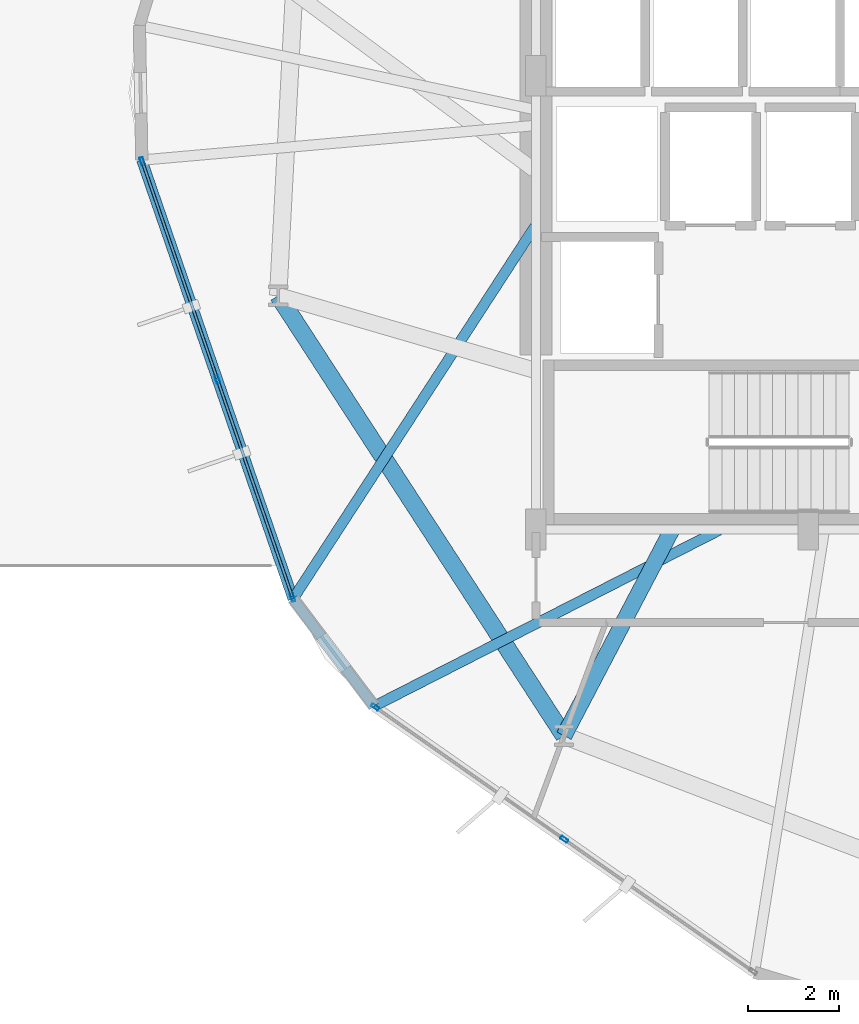
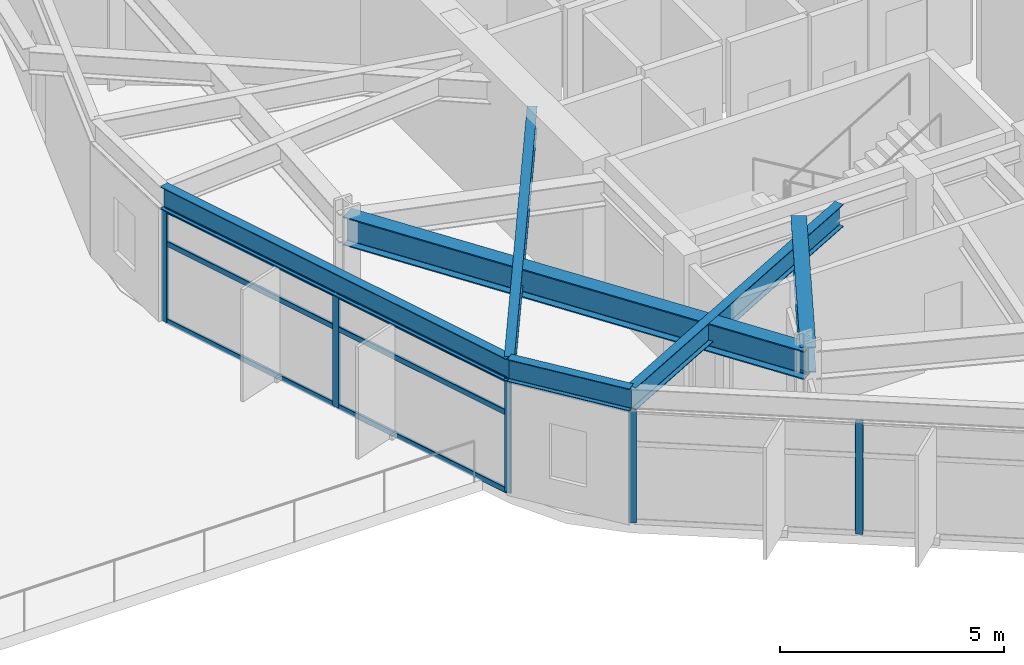
# One storey, part 2 of 23: 11 members, 6 beams, 2 elements without a shape of their own.
"""IFC4 building model written with IfcOpenShell, lengths in metres."""

from ifc_helpers import new_model, si_unit, direction, frame, origin, origin_2d, place, context, subcontext, project, spatial, hollow_rectangle, i_section, extrude, material, layer, layer_set, material_profile, profile_set, type_object, element, aggregate, save


model = new_model("IFC4")

# Units and contexts
model_context = context("Model", 3, precision=1e-05, world=origin(), true_north=direction((0.0, 1.0)))
body_context = subcontext(model_context, "Body", "Model", "MODEL_VIEW")
ifc_project = project(units=[si_unit("LENGTHUNIT", "METRE"), si_unit("AREAUNIT", "SQUARE_METRE"), si_unit("VOLUMEUNIT", "CUBIC_METRE"), si_unit("PLANEANGLEUNIT", "RADIAN"), si_unit("MASSUNIT", "GRAM", prefix="KILO")], contexts=[model_context])

# Site, building, storey
site_placement = place(None, origin())
site = spatial("IfcSite", under=ifc_project, at=site_placement, CompositionType="ELEMENT")
building_placement = place(site_placement, origin())
building = spatial("IfcBuilding", under=site, at=building_placement, Name="Soratama Intermodal Tower", CompositionType="ELEMENT")
storey_placement = place(building_placement, frame((0.0, 0.0, 30.60009765625)))
storey = spatial("IfcBuildingStorey", under=building, at=storey_placement, Name="L06", CompositionType="ELEMENT", Elevation=30.60009765625)

# Beams
ifc_material_1 = material(Name="Structural steel ASTM A992 Grade 50", Category="steel")
ifc_material_profile_1 = material_profile(ifc_material_1, i_section(OverallWidth=0.35498046875, OverallDepth=0.695068359375, WebThickness=0.015380859375, FlangeThickness=0.02490234375, FilletRadius=0.01611328125, at=origin_2d()), Name="W27X146")
ifc_profile_set_1 = profile_set([ifc_material_profile_1], Name="Structural steel ASTM A992 Grade 50")
beam_type_1 = type_object("IfcBeamType", Name="BM-RING-W27X146", PredefinedType="BEAM", material=ifc_profile_set_1)
beam_1_placement = place(storey_placement, frame((35.60009765625, 15.0, 3.352294921875), z_axis=(-0.463818619792, -0.885930182314, 0.0), x_axis=(0.885930182314, -0.463818619792, 0.0)))
element("IfcBeam", 1, at=beam_1_placement, inside=storey, type_object=beam_type_1, Name="BM-L06-RAD-07", PredefinedType="BEAM", context=body_context, shape_type="SweptSolid", body=[
    extrude(i_section(OverallWidth=0.35498046875, OverallDepth=0.695068359375, WebThickness=0.015380859375, FlangeThickness=0.02490234375, FilletRadius=0.01611328125, at=origin_2d()), origin(), (0.0, 0.0, 1.0), 5.1337890625),
])
ifc_material_2 = material(Name="Structural steel ASTM A992 Grade 50", Category="steel")
ifc_material_profile_2 = material_profile(ifc_material_2, i_section(OverallWidth=0.382080078125, OverallDepth=0.779052734375, WebThickness=0.01806640625, FlangeThickness=0.030029296875, FilletRadius=0.01806640625, at=origin_2d()), Name="W30X191")
ifc_profile_set_2 = profile_set([ifc_material_profile_2], Name="Structural steel ASTM A992 Grade 50")
beam_type_2 = type_object("IfcBeamType", Name="BM-RING-W30X191", PredefinedType="BEAM", material=ifc_profile_set_2)
beam_2_placement = place(storey_placement, frame((26.91796875, 20.155029296875, 3.310302734375), z_axis=(0.544623370352, -0.838680740489, 0.0), x_axis=(0.838680740489, 0.544623370352, 0.0)))
element("IfcBeam", 2, at=beam_2_placement, inside=storey, type_object=beam_type_2, Name="BM-L06-RING-06", PredefinedType="BEAM", context=body_context, shape_type="SweptSolid", body=[
    extrude(i_section(OverallWidth=0.382080078125, OverallDepth=0.779052734375, WebThickness=0.01806640625, FlangeThickness=0.030029296875, FilletRadius=0.01806640625, at=origin_2d()), origin(), (0.0, 0.0, 1.0), 11.569580078125),
])
ifc_material_3 = material(Name="Structural steel ASTM A992 Grade 50", Category="steel")
ifc_material_profile_3 = material_profile(ifc_material_3, i_section(OverallWidth=0.22900390625, OverallDepth=0.612060546875, WebThickness=0.011962890625, FlangeThickness=0.01953125, FilletRadius=0.012939453125, at=origin_2d()), Name="W24X84")
ifc_profile_set_3 = profile_set([ifc_material_profile_3], Name="Structural steel ASTM A992 Grade 50")
beam_type_3 = type_object("IfcBeamType", Name="BM-SPN-W24X84", PredefinedType="SPANDREL", material=ifc_profile_set_3)
beam_3_placement = place(storey_placement, frame((23.912109375, 23.14111328125, 3.393798828125), z_axis=(0.325883307042, -0.945410001106, 0.0), x_axis=(0.945410001106, 0.325883307042, 0.0)))
element("IfcBeam", 3, at=beam_3_placement, inside=storey, type_object=beam_type_3, Name="BS-L06-F06", PredefinedType="SPANDREL", context=body_context, shape_type="SweptSolid", body=[
    extrude(i_section(OverallWidth=0.22900390625, OverallDepth=0.612060546875, WebThickness=0.011962890625, FlangeThickness=0.01953125, FilletRadius=0.012939453125, at=origin_2d()), origin(), (0.0, 0.0, 1.0), 10.230712890625),
])
beam_4_placement = place(storey_placement, frame((27.24609375, 13.468994140625, 3.393798828125), z_axis=(0.602144651995, -0.798387010211, 0.0), x_axis=(0.798387010211, 0.602144651995, 0.0)))
element("IfcBeam", 4, at=beam_4_placement, inside=storey, type_object=beam_type_3, Name="BS-L06-CRN06", PredefinedType="SPANDREL", context=body_context, shape_type="SweptSolid", body=[
    extrude(i_section(OverallWidth=0.22900390625, OverallDepth=0.612060546875, WebThickness=0.011962890625, FlangeThickness=0.01953125, FilletRadius=0.012939453125, at=origin_2d()), origin(), (0.0, 0.0, 1.0), 2.9658203125),
])
ifc_material_4 = material(Name="Structural steel ASTM A992 Grade 50", Category="steel")
ifc_material_profile_4 = material_profile(ifc_material_4, i_section(OverallWidth=0.22900390625, OverallDepth=0.612060546875, WebThickness=0.011962890625, FlangeThickness=0.01953125, FilletRadius=0.012939453125, at=origin_2d()), Name="W24X84")
ifc_profile_set_4 = profile_set([ifc_material_profile_4], Name="Structural steel ASTM A992 Grade 50")
beam_type_4 = type_object("IfcBeamType", Name="BM-TIE-W24X84", PredefinedType="BEAM", material=ifc_profile_set_4)
beam_5_placement = place(storey_placement, frame((32.577880859375, 21.680908203125, 3.393798828125), z_axis=(-0.54456056812, -0.838721519725, 0.0), x_axis=(0.838721519725, -0.54456056812, 0.0)))
element("IfcBeam", 5, at=beam_5_placement, inside=storey, type_object=beam_type_4, Name="BM-L06-TIE1-06", PredefinedType="BEAM", context=body_context, shape_type="SweptSolid", body=[
    extrude(i_section(OverallWidth=0.22900390625, OverallDepth=0.612060546875, WebThickness=0.011962890625, FlangeThickness=0.01953125, FilletRadius=0.012939453125, at=origin_2d()), origin(), (0.0, 0.0, 1.0), 9.791015625),
])
beam_6_placement = place(storey_placement, frame((36.636962890625, 14.98193359375, 3.393798828125), z_axis=(-0.890725485603, -0.454541647484, 0.0), x_axis=(0.454541647484, -0.890725485603, 0.0)))
element("IfcBeam", 6, at=beam_6_placement, inside=storey, type_object=beam_type_4, Name="BM-L06-TIE0-07", PredefinedType="BEAM", context=body_context, shape_type="SweptSolid", body=[
    extrude(i_section(OverallWidth=0.22900390625, OverallDepth=0.612060546875, WebThickness=0.011962890625, FlangeThickness=0.01953125, FilletRadius=0.012939453125, at=origin_2d()), origin(), (0.0, 0.0, 1.0), 8.537841796875),
])

# Curtain wall, members
ifc_material_5 = material(Name="Double-glazed aluminium curtain wall", Category="aluminium")
ifc_layer = layer(ifc_material_5, 0.159912109375)
ifc_layer_set = layer_set([ifc_layer], Name="Double-glazed aluminium curtain wall")
curtain_wall_type = type_object("IfcCurtainWallType", Name="CW-SYS-2", PredefinedType="NOTDEFINED", material=ifc_layer_set)
curtain_wall_1_placement = place(storey_placement, origin())
curtain_wall_1 = element("IfcCurtainWall", 7, at=curtain_wall_1_placement, inside=storey, type_object=curtain_wall_type, Name="L06 Faceted Curtain Wall F06", PredefinedType="NOTDEFINED")
ifc_material_6 = material(Name="Anodised aluminium AA 6063-T6", Category="aluminium")
ifc_material_profile_5 = material_profile(ifc_material_6, hollow_rectangle(XDim=0.074951171875, YDim=0.179931640625, WallThickness=0.006103515625, InnerFilletRadius=0.006103515625, OuterFilletRadius=0.011962890625, at=origin_2d()), Name="CWM180X75X6")
ifc_profile_set_5 = profile_set([ifc_material_profile_5], Name="Anodised aluminium AA 6063-T6")
member_type_1 = type_object("IfcMemberType", Name="MT-CWM-2", PredefinedType="MULLION", material=ifc_profile_set_5)
member_1_placement = place(storey_placement, frame((23.92138671875, 23.112548828125, 0.0), z_axis=(0.0, 0.0, 1.0), x_axis=(0.945406217514, 0.325894283296, 0.0)))
member_1 = element("IfcMember", 8, at=member_1_placement, type_object=member_type_1, Name="CW-2 mullion 1", PredefinedType="MULLION", context=body_context, shape_type="SweptSolid", body=[
    extrude(hollow_rectangle(XDim=0.074951171875, YDim=0.179931640625, WallThickness=0.006103515625, InnerFilletRadius=0.006103515625, OuterFilletRadius=0.011962890625, at=origin_2d()), origin(), (0.0, 0.0, 1.0), 3.078857421875),
])
member_2_placement = place(storey_placement, frame((25.57861328125, 18.30517578125, 0.0), z_axis=(0.0, 0.0, 1.0), x_axis=(0.945406217514, 0.325894283296, 0.0)))
member_2 = element("IfcMember", 9, at=member_2_placement, type_object=member_type_1, Name="CW-2 mullion 2", PredefinedType="MULLION", context=body_context, shape_type="SweptSolid", body=[
    extrude(hollow_rectangle(XDim=0.074951171875, YDim=0.179931640625, WallThickness=0.006103515625, InnerFilletRadius=0.006103515625, OuterFilletRadius=0.011962890625, at=origin_2d()), origin(), (0.0, 0.0, 1.0), 3.078857421875),
])
member_3_placement = place(storey_placement, frame((27.23583984375, 13.49755859375, 0.0), z_axis=(0.0, 0.0, 1.0), x_axis=(0.945406217514, 0.325894283296, 0.0)))
member_3 = element("IfcMember", 10, at=member_3_placement, type_object=member_type_1, Name="CW-2 mullion 3", PredefinedType="MULLION", context=body_context, shape_type="SweptSolid", body=[
    extrude(hollow_rectangle(XDim=0.074951171875, YDim=0.179931640625, WallThickness=0.006103515625, InnerFilletRadius=0.006103515625, OuterFilletRadius=0.011962890625, at=origin_2d()), origin(), (0.0, 0.0, 1.0), 3.078857421875),
])

curtain_wall_2_placement = place(storey_placement, origin())
curtain_wall_2 = element("IfcCurtainWall", 11, at=curtain_wall_2_placement, inside=storey, type_object=curtain_wall_type, Name="L06 Faceted Curtain Wall F07", PredefinedType="NOTDEFINED")
member_4_placement = place(storey_placement, frame((29.056396484375, 11.08349609375, 0.0), z_axis=(0.0, 0.0, 1.0), x_axis=(0.573295700615, 0.819348545893, 0.0)))
member_4 = element("IfcMember", 12, at=member_4_placement, type_object=member_type_1, Name="CW-2 mullion 1", PredefinedType="MULLION", context=body_context, shape_type="SweptSolid", body=[
    extrude(hollow_rectangle(XDim=0.074951171875, YDim=0.179931640625, WallThickness=0.006103515625, InnerFilletRadius=0.006103515625, OuterFilletRadius=0.011962890625, at=origin_2d()), origin(), (0.0, 0.0, 1.0), 3.078857421875),
])
member_5_placement = place(storey_placement, frame((33.222900390625, 8.168212890625, 0.0), z_axis=(0.0, 0.0, 1.0), x_axis=(0.573295700615, 0.819348545893, 0.0)))
member_5 = element("IfcMember", 13, at=member_5_placement, type_object=member_type_1, Name="CW-2 mullion 2", PredefinedType="MULLION", context=body_context, shape_type="SweptSolid", body=[
    extrude(hollow_rectangle(XDim=0.074951171875, YDim=0.179931640625, WallThickness=0.006103515625, InnerFilletRadius=0.006103515625, OuterFilletRadius=0.011962890625, at=origin_2d()), origin(), (0.0, 0.0, 1.0), 3.078857421875),
])
aggregate(curtain_wall_2, [member_4, member_5])

# Member
ifc_material_7 = material(Name="Anodised aluminium AA 6063-T6", Category="aluminium")
ifc_material_profile_6 = material_profile(ifc_material_7, hollow_rectangle(XDim=0.06494140625, YDim=0.14990234375, WallThickness=0.0048828125, InnerFilletRadius=0.0048828125, OuterFilletRadius=0.010009765625, at=origin_2d()), Name="CWT150X65X5")
ifc_profile_set_6 = profile_set([ifc_material_profile_6], Name="Anodised aluminium AA 6063-T6")
member_type_2 = type_object("IfcMemberType", Name="TT-CWT-1", PredefinedType="USERDEFINED", material=ifc_profile_set_6)
member_6_placement = place(storey_placement, frame((23.93115234375, 23.084228515625, 0.02978515625), z_axis=(0.325903839349, -0.94540292336, 0.0), x_axis=(0.94540292336, 0.325903839349, 0.0)))
member_6 = element("IfcMember", 14, at=member_6_placement, type_object=member_type_2, Name="CW-2 transom 1.1", ObjectType="TRANSOM", PredefinedType="USERDEFINED", context=body_context, shape_type="SweptSolid", body=[
    extrude(hollow_rectangle(XDim=0.06494140625, YDim=0.14990234375, WallThickness=0.0048828125, InnerFilletRadius=0.0048828125, OuterFilletRadius=0.010009765625, at=origin_2d()), origin(), (0.0, 0.0, 1.0), 5.025146484375),
])

member_7_placement = place(storey_placement, frame((23.93115234375, 23.084228515625, 2.14990234375), z_axis=(0.325903839349, -0.94540292336, 0.0), x_axis=(0.94540292336, 0.325903839349, 0.0)))
member_7 = element("IfcMember", 15, at=member_7_placement, type_object=member_type_2, Name="CW-2 transom 1.2", ObjectType="TRANSOM", PredefinedType="USERDEFINED", context=body_context, shape_type="SweptSolid", body=[
    extrude(hollow_rectangle(XDim=0.06494140625, YDim=0.14990234375, WallThickness=0.0048828125, InnerFilletRadius=0.0048828125, OuterFilletRadius=0.010009765625, at=origin_2d()), origin(), (0.0, 0.0, 1.0), 5.025146484375),
])

member_8_placement = place(storey_placement, frame((23.93115234375, 23.084228515625, 3.048828125), z_axis=(0.325903839349, -0.94540292336, 0.0), x_axis=(0.94540292336, 0.325903839349, 0.0)))
member_8 = element("IfcMember", 16, at=member_8_placement, type_object=member_type_2, Name="CW-2 transom 1.3", ObjectType="TRANSOM", PredefinedType="USERDEFINED", context=body_context, shape_type="SweptSolid", body=[
    extrude(hollow_rectangle(XDim=0.06494140625, YDim=0.14990234375, WallThickness=0.0048828125, InnerFilletRadius=0.0048828125, OuterFilletRadius=0.010009765625, at=origin_2d()), origin(), (0.0, 0.0, 1.0), 5.025146484375),
])

member_9_placement = place(storey_placement, frame((25.58837890625, 18.27685546875, 0.02978515625), z_axis=(0.32588887065, -0.945408083309, 0.0), x_axis=(0.945408083309, 0.32588887065, 0.0)))
member_9 = element("IfcMember", 17, at=member_9_placement, type_object=member_type_2, Name="CW-2 transom 2.1", ObjectType="TRANSOM", PredefinedType="USERDEFINED", context=body_context, shape_type="SweptSolid", body=[
    extrude(hollow_rectangle(XDim=0.06494140625, YDim=0.14990234375, WallThickness=0.0048828125, InnerFilletRadius=0.0048828125, OuterFilletRadius=0.010009765625, at=origin_2d()), origin(), (0.0, 0.0, 1.0), 5.025390625),
])

member_10_placement = place(storey_placement, frame((25.58837890625, 18.27685546875, 2.14990234375), z_axis=(0.32588887065, -0.945408083309, 0.0), x_axis=(0.945408083309, 0.32588887065, 0.0)))
member_10 = element("IfcMember", 18, at=member_10_placement, type_object=member_type_2, Name="CW-2 transom 2.2", ObjectType="TRANSOM", PredefinedType="USERDEFINED", context=body_context, shape_type="SweptSolid", body=[
    extrude(hollow_rectangle(XDim=0.06494140625, YDim=0.14990234375, WallThickness=0.0048828125, InnerFilletRadius=0.0048828125, OuterFilletRadius=0.010009765625, at=origin_2d()), origin(), (0.0, 0.0, 1.0), 5.025390625),
])

member_11_placement = place(storey_placement, frame((25.58837890625, 18.27685546875, 3.048828125), z_axis=(0.32588887065, -0.945408083309, 0.0), x_axis=(0.945408083309, 0.32588887065, 0.0)))
member_11 = element("IfcMember", 19, at=member_11_placement, type_object=member_type_2, Name="CW-2 transom 2.3", ObjectType="TRANSOM", PredefinedType="USERDEFINED", context=body_context, shape_type="SweptSolid", body=[
    extrude(hollow_rectangle(XDim=0.06494140625, YDim=0.14990234375, WallThickness=0.0048828125, InnerFilletRadius=0.0048828125, OuterFilletRadius=0.010009765625, at=origin_2d()), origin(), (0.0, 0.0, 1.0), 5.025390625),
])

aggregate(curtain_wall_1, [member_1, member_2, member_3, member_6, member_7, member_8, member_9, member_10, member_11])

save(model, "model.ifc")
